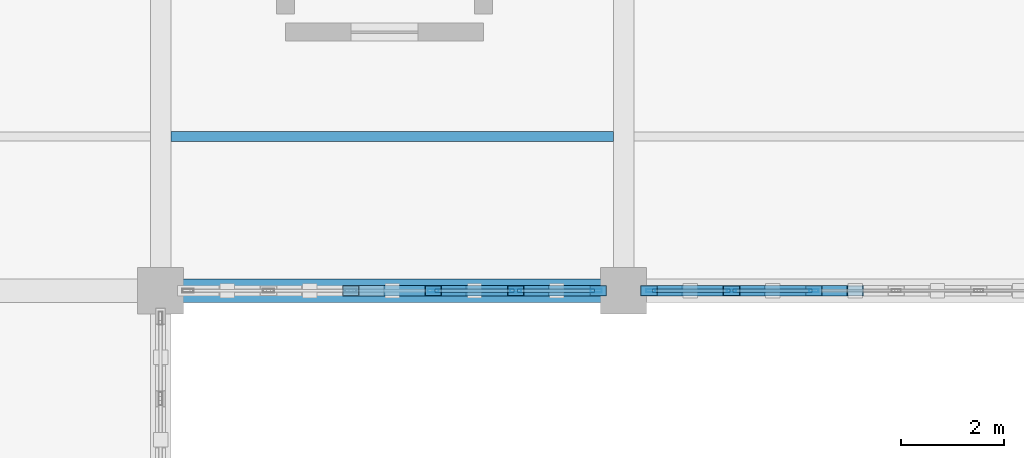
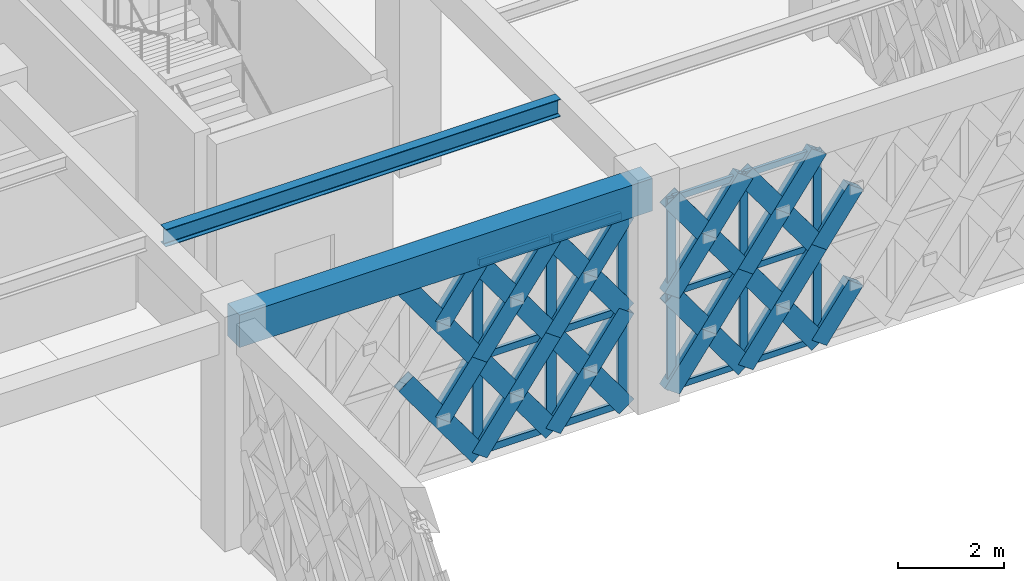
# One storey, part 80 of 155: 48 members, 2 beams, 2 elements without a shape of their own.
"""IFC4 building model written with IfcOpenShell, lengths in metres."""

from ifc_helpers import new_model, si_unit, direction, frame, origin, origin_2d, place, context, subcontext, project, spatial, rectangle, hollow_rectangle, i_section, extrude, material, material_profile, profile_set, type_object, element, aggregate, save


model = new_model("IFC4")

# Units and contexts
model_context = context("Model", 3, precision=1e-05, world=origin(), true_north=direction((0.0, 1.0)))
body_context = subcontext(model_context, "Body", "Model", "MODEL_VIEW")
ifc_project = project(units=[si_unit("LENGTHUNIT", "METRE"), si_unit("AREAUNIT", "SQUARE_METRE"), si_unit("VOLUMEUNIT", "CUBIC_METRE"), si_unit("PLANEANGLEUNIT", "RADIAN"), si_unit("MASSUNIT", "GRAM", prefix="KILO")], contexts=[model_context])

# Site, building, storey
site_placement = place(None, origin())
site = spatial("IfcSite", under=ifc_project, at=site_placement, CompositionType="ELEMENT")
building_placement = place(site_placement, origin())
building = spatial("IfcBuilding", under=site, at=building_placement, Name="Haizhuo Lancet Aquarium", CompositionType="ELEMENT")
storey_placement = place(building_placement, frame((0.0, 0.0, 10.800048828125)))
storey = spatial("IfcBuildingStorey", under=building, at=storey_placement, Name="L02", CompositionType="ELEMENT", Elevation=10.800048828125)

# Beam
ifc_material_1 = material(Name="Concrete C40/50", Category="concrete")
ifc_material_profile_1 = material_profile(ifc_material_1, rectangle(XDim=0.449951171875, YDim=0.75, at=origin_2d()), Name="RC-BM 450x750")
ifc_profile_set_1 = profile_set([ifc_material_profile_1], Name="Concrete C40/50")
beam_type_1 = type_object("IfcBeamType", Name="BM-RC-450x750", PredefinedType="BEAM", material=ifc_profile_set_1)
beam_1_placement = place(storey_placement, frame((9.0, 36.0, 4.784912109375), z_axis=(1.0, 0.0, 0.0), x_axis=(0.0, 1.0, 0.0)))
element("IfcBeam", 1, at=beam_1_placement, inside=storey, type_object=beam_type_1, Name="L02 V5 primary girder BM-L02-V5-025", PredefinedType="BEAM", context=body_context, shape_type="SweptSolid", body=[
    extrude(rectangle(XDim=0.449951171875, YDim=0.75, at=origin_2d()), origin(), (0.0, 0.0, 1.0), 9.0),
])

# Curtain wall, members
ifc_material_2 = material(Name="Aluminium 6063-T6", Category="aluminium")
curtain_wall_type = type_object("IfcCurtainWallType", Name="CWD-8010x4410", PredefinedType="NOTDEFINED", material=ifc_material_2)
curtain_wall_1_placement = place(storey_placement, origin())
curtain_wall_1 = element("IfcCurtainWall", 2, at=curtain_wall_1_placement, inside=storey, type_object=curtain_wall_type, Name="L02 curtain wall CW-V5-L02-154", PredefinedType="NOTDEFINED")
ifc_material_profile_2 = material_profile(ifc_material_2, hollow_rectangle(XDim=0.06494140625, YDim=0.179931640625, WallThickness=0.00390625, at=origin_2d()), Name="ALU-M 65x180x4")
ifc_profile_set_2 = profile_set([ifc_material_profile_2], Name="Aluminium 6063-T6")
member_type_1 = type_object("IfcMemberType", Name="CW-MUL-1", PredefinedType="MULLION", material=ifc_profile_set_2)
member_1_placement = place(storey_placement, frame((21.698974609375, 36.0, 0.0), z_axis=(0.0, 0.0, 1.0), x_axis=(0.0, -1.0, 0.0)))
member_1 = element("IfcMember", 3, at=member_1_placement, type_object=member_type_1, Name="CWD-80x44 mullion 4", PredefinedType="MULLION", context=body_context, shape_type="SweptSolid", body=[
    extrude(hollow_rectangle(XDim=0.06494140625, YDim=0.179931640625, WallThickness=0.00390625, at=origin_2d()), origin(), (0.0, 0.0, 1.0), 4.409912109375),
])
member_2_placement = place(storey_placement, frame((20.096923828125, 36.0, 0.0), z_axis=(0.0, 0.0, 1.0), x_axis=(0.0, -1.0, 0.0)))
member_2 = element("IfcMember", 4, at=member_2_placement, type_object=member_type_1, Name="CWD-80x44 mullion 5", PredefinedType="MULLION", context=body_context, shape_type="SweptSolid", body=[
    extrude(hollow_rectangle(XDim=0.06494140625, YDim=0.179931640625, WallThickness=0.00390625, at=origin_2d()), origin(), (0.0, 0.0, 1.0), 4.409912109375),
])
member_3_placement = place(storey_placement, frame((18.527099609375, 36.0, 0.0), z_axis=(0.0, 0.0, 1.0), x_axis=(0.0, -1.0, 0.0)))
member_3 = element("IfcMember", 5, at=member_3_placement, type_object=member_type_1, Name="CWD-80x44 mullion 6", PredefinedType="MULLION", context=body_context, shape_type="SweptSolid", body=[
    extrude(hollow_rectangle(XDim=0.06494140625, YDim=0.179931640625, WallThickness=0.00390625, at=origin_2d()), origin(), (0.0, 0.0, 1.0), 4.409912109375),
])

curtain_wall_2_placement = place(storey_placement, origin())
curtain_wall_2 = element("IfcCurtainWall", 6, at=curtain_wall_2_placement, inside=storey, type_object=curtain_wall_type, Name="L02 curtain wall CW-V5-L02-155", PredefinedType="NOTDEFINED")
ifc_material_profile_3 = material_profile(ifc_material_2, hollow_rectangle(XDim=0.074951171875, YDim=0.219970703125, WallThickness=0.0048828125, at=origin_2d()), Name="ALU-M 75x220x5")
ifc_profile_set_3 = profile_set([ifc_material_profile_3], Name="Aluminium 6063-T6")
member_type_2 = type_object("IfcMemberType", Name="CW-MUL-2", PredefinedType="MULLION", material=ifc_profile_set_3)
member_4_placement = place(storey_placement, frame((17.467041015625, 36.0, 0.0), z_axis=(0.0, 0.0, 1.0), x_axis=(0.0, -1.0, 0.0)))
member_4 = element("IfcMember", 7, at=member_4_placement, type_object=member_type_2, Name="CWD-80x44 mullion 1", PredefinedType="MULLION", context=body_context, shape_type="SweptSolid", body=[
    extrude(hollow_rectangle(XDim=0.074951171875, YDim=0.219970703125, WallThickness=0.0048828125, at=origin_2d()), origin(), (0.0, 0.0, 1.0), 4.409912109375),
])
member_5_placement = place(storey_placement, frame((15.903076171875, 36.0, 0.0), z_axis=(0.0, 0.0, 1.0), x_axis=(0.0, -1.0, 0.0)))
member_5 = element("IfcMember", 8, at=member_5_placement, type_object=member_type_2, Name="CWD-80x44 mullion 2", PredefinedType="MULLION", context=body_context, shape_type="SweptSolid", body=[
    extrude(hollow_rectangle(XDim=0.074951171875, YDim=0.219970703125, WallThickness=0.0048828125, at=origin_2d()), origin(), (0.0, 0.0, 1.0), 4.409912109375),
])
member_6_placement = place(storey_placement, frame((14.301025390625, 36.0, 0.0), z_axis=(0.0, 0.0, 1.0), x_axis=(0.0, -1.0, 0.0)))
member_6 = element("IfcMember", 9, at=member_6_placement, type_object=member_type_2, Name="CWD-80x44 mullion 3", PredefinedType="MULLION", context=body_context, shape_type="SweptSolid", body=[
    extrude(hollow_rectangle(XDim=0.074951171875, YDim=0.219970703125, WallThickness=0.0048828125, at=origin_2d()), origin(), (0.0, 0.0, 1.0), 4.409912109375),
])

# Member
ifc_material_profile_4 = material_profile(ifc_material_2, hollow_rectangle(XDim=0.06494140625, YDim=0.139892578125, WallThickness=0.00390625, at=origin_2d()), Name="ALU-T 65x140x4")
ifc_profile_set_4 = profile_set([ifc_material_profile_4], Name="Aluminium 6063-T6")
member_type_3 = type_object("IfcMemberType", Name="CW-TRN-1", PredefinedType="NOTDEFINED", material=ifc_profile_set_4)
member_7_placement = place(storey_placement, frame((21.666015625, 36.0, 0.032958984375), z_axis=(-1.0, 0.0, 0.0), x_axis=(0.0, -1.0, 0.0)))
member_7 = element("IfcMember", 10, at=member_7_placement, type_object=member_type_3, Name="CWD-80x44 transom 4.1", ObjectType="TRANSOM", PredefinedType="USERDEFINED", context=body_context, shape_type="SweptSolid", body=[
    extrude(hollow_rectangle(XDim=0.06494140625, YDim=0.139892578125, WallThickness=0.00390625, at=origin_2d()), origin(), (0.0, 0.0, 1.0), 1.5361328125),
])

member_8_placement = place(storey_placement, frame((21.666015625, 36.0, 2.204833984375), z_axis=(-1.0, 0.0, 0.0), x_axis=(0.0, -1.0, 0.0)))
member_8 = element("IfcMember", 11, at=member_8_placement, type_object=member_type_3, Name="CWD-80x44 transom 4.2", ObjectType="TRANSOM", PredefinedType="USERDEFINED", context=body_context, shape_type="SweptSolid", body=[
    extrude(hollow_rectangle(XDim=0.06494140625, YDim=0.139892578125, WallThickness=0.00390625, at=origin_2d()), origin(), (0.0, 0.0, 1.0), 1.5361328125),
])

member_9_placement = place(storey_placement, frame((21.666015625, 36.0, 4.3779296875), z_axis=(-1.0, 0.0, 0.0), x_axis=(0.0, -1.0, 0.0)))
member_9 = element("IfcMember", 12, at=member_9_placement, type_object=member_type_3, Name="CWD-80x44 transom 4.3", ObjectType="TRANSOM", PredefinedType="USERDEFINED", context=body_context, shape_type="SweptSolid", body=[
    extrude(hollow_rectangle(XDim=0.06494140625, YDim=0.139892578125, WallThickness=0.00390625, at=origin_2d()), origin(), (0.0, 0.0, 1.0), 1.5361328125),
])

member_10_placement = place(storey_placement, frame((20.06494140625, 36.0, 0.032958984375), z_axis=(-1.0, 0.0, 0.0), x_axis=(0.0, -1.0, 0.0)))
member_10 = element("IfcMember", 13, at=member_10_placement, type_object=member_type_3, Name="CWD-80x44 transom 5.1", ObjectType="TRANSOM", PredefinedType="USERDEFINED", context=body_context, shape_type="SweptSolid", body=[
    extrude(hollow_rectangle(XDim=0.06494140625, YDim=0.139892578125, WallThickness=0.00390625, at=origin_2d()), origin(), (0.0, 0.0, 1.0), 1.5048828125),
])

member_11_placement = place(storey_placement, frame((20.06494140625, 36.0, 2.204833984375), z_axis=(-1.0, 0.0, 0.0), x_axis=(0.0, -1.0, 0.0)))
member_11 = element("IfcMember", 14, at=member_11_placement, type_object=member_type_3, Name="CWD-80x44 transom 5.2", ObjectType="TRANSOM", PredefinedType="USERDEFINED", context=body_context, shape_type="SweptSolid", body=[
    extrude(hollow_rectangle(XDim=0.06494140625, YDim=0.139892578125, WallThickness=0.00390625, at=origin_2d()), origin(), (0.0, 0.0, 1.0), 1.5048828125),
])

member_12_placement = place(storey_placement, frame((20.06494140625, 36.0, 4.3779296875), z_axis=(-1.0, 0.0, 0.0), x_axis=(0.0, -1.0, 0.0)))
member_12 = element("IfcMember", 15, at=member_12_placement, type_object=member_type_3, Name="CWD-80x44 transom 5.3", ObjectType="TRANSOM", PredefinedType="USERDEFINED", context=body_context, shape_type="SweptSolid", body=[
    extrude(hollow_rectangle(XDim=0.06494140625, YDim=0.139892578125, WallThickness=0.00390625, at=origin_2d()), origin(), (0.0, 0.0, 1.0), 1.5048828125),
])

aggregate(curtain_wall_1, [member_1, member_2, member_3, member_7, member_8, member_9, member_10, member_11, member_12])

ifc_material_profile_5 = material_profile(ifc_material_2, hollow_rectangle(XDim=0.074951171875, YDim=0.159912109375, WallThickness=0.00390625, at=origin_2d()), Name="ALU-T 75x160x4")
ifc_profile_set_5 = profile_set([ifc_material_profile_5], Name="Aluminium 6063-T6")
member_type_4 = type_object("IfcMemberType", Name="CW-TRN-2", PredefinedType="NOTDEFINED", material=ifc_profile_set_5)
member_13_placement = place(storey_placement, frame((17.429931640625, 36.0, 0.037841796875), z_axis=(-1.0, 0.0, 0.0), x_axis=(0.0, -1.0, 0.0)))
member_13 = element("IfcMember", 16, at=member_13_placement, type_object=member_type_4, Name="CWD-80x44 transom 1.1", ObjectType="TRANSOM", PredefinedType="USERDEFINED", context=body_context, shape_type="SweptSolid", body=[
    extrude(hollow_rectangle(XDim=0.074951171875, YDim=0.159912109375, WallThickness=0.00390625, at=origin_2d()), origin(), (0.0, 0.0, 1.0), 1.489013671875),
])

member_14_placement = place(storey_placement, frame((17.429931640625, 36.0, 2.204833984375), z_axis=(-1.0, 0.0, 0.0), x_axis=(0.0, -1.0, 0.0)))
member_14 = element("IfcMember", 17, at=member_14_placement, type_object=member_type_4, Name="CWD-80x44 transom 1.2", ObjectType="TRANSOM", PredefinedType="USERDEFINED", context=body_context, shape_type="SweptSolid", body=[
    extrude(hollow_rectangle(XDim=0.074951171875, YDim=0.159912109375, WallThickness=0.00390625, at=origin_2d()), origin(), (0.0, 0.0, 1.0), 1.489013671875),
])

member_15_placement = place(storey_placement, frame((17.429931640625, 36.0, 4.373046875), z_axis=(-1.0, 0.0, 0.0), x_axis=(0.0, -1.0, 0.0)))
member_15 = element("IfcMember", 18, at=member_15_placement, type_object=member_type_4, Name="CWD-80x44 transom 1.3", ObjectType="TRANSOM", PredefinedType="USERDEFINED", context=body_context, shape_type="SweptSolid", body=[
    extrude(hollow_rectangle(XDim=0.074951171875, YDim=0.159912109375, WallThickness=0.00390625, at=origin_2d()), origin(), (0.0, 0.0, 1.0), 1.489013671875),
])

member_16_placement = place(storey_placement, frame((15.864990234375, 36.0, 0.037841796875), z_axis=(-1.0, 0.0, 0.0), x_axis=(0.0, -1.0, 0.0)))
member_16 = element("IfcMember", 19, at=member_16_placement, type_object=member_type_4, Name="CWD-80x44 transom 2.1", ObjectType="TRANSOM", PredefinedType="USERDEFINED", context=body_context, shape_type="SweptSolid", body=[
    extrude(hollow_rectangle(XDim=0.074951171875, YDim=0.159912109375, WallThickness=0.00390625, at=origin_2d()), origin(), (0.0, 0.0, 1.0), 1.527099609375),
])

member_17_placement = place(storey_placement, frame((15.864990234375, 36.0, 2.204833984375), z_axis=(-1.0, 0.0, 0.0), x_axis=(0.0, -1.0, 0.0)))
member_17 = element("IfcMember", 20, at=member_17_placement, type_object=member_type_4, Name="CWD-80x44 transom 2.2", ObjectType="TRANSOM", PredefinedType="USERDEFINED", context=body_context, shape_type="SweptSolid", body=[
    extrude(hollow_rectangle(XDim=0.074951171875, YDim=0.159912109375, WallThickness=0.00390625, at=origin_2d()), origin(), (0.0, 0.0, 1.0), 1.527099609375),
])

member_18_placement = place(storey_placement, frame((15.864990234375, 36.0, 4.373046875), z_axis=(-1.0, 0.0, 0.0), x_axis=(0.0, -1.0, 0.0)))
member_18 = element("IfcMember", 21, at=member_18_placement, type_object=member_type_4, Name="CWD-80x44 transom 2.3", ObjectType="TRANSOM", PredefinedType="USERDEFINED", context=body_context, shape_type="SweptSolid", body=[
    extrude(hollow_rectangle(XDim=0.074951171875, YDim=0.159912109375, WallThickness=0.00390625, at=origin_2d()), origin(), (0.0, 0.0, 1.0), 1.527099609375),
])

aggregate(curtain_wall_2, [member_4, member_5, member_6, member_13, member_14, member_15, member_16, member_17, member_18])

# Beam
ifc_material_3 = material(Name="Steel S355", Category="steel")
ifc_material_profile_6 = material_profile(ifc_material_3, i_section(OverallWidth=0.199951171875, OverallDepth=0.39990234375, WebThickness=0.008056640625, FlangeThickness=0.012939453125, FilletRadius=0.01611328125, at=origin_2d()), Name="HN 400x200x8x13")
ifc_profile_set_6 = profile_set([ifc_material_profile_6], Name="Steel S355")
beam_type_2 = type_object("IfcBeamType", Name="JST-ST-HN400", PredefinedType="JOIST", material=ifc_profile_set_6)
beam_2_placement = place(storey_placement, frame((9.199951171875, 39.0, 4.9599609375), z_axis=(1.0, 0.0, 0.0), x_axis=(0.0, 1.0, 0.0)))
element("IfcBeam", 22, at=beam_2_placement, inside=storey, type_object=beam_type_2, Name="L02 V5 secondary floor joist 14", PredefinedType="JOIST", context=body_context, shape_type="SweptSolid", body=[
    extrude(i_section(OverallWidth=0.199951171875, OverallDepth=0.39990234375, WebThickness=0.008056640625, FlangeThickness=0.012939453125, FilletRadius=0.01611328125, at=origin_2d()), origin(), (0.0, 0.0, 1.0), 8.60009765625),
])

# Members
ifc_material_profile_7 = material_profile(ifc_material_3, hollow_rectangle(XDim=0.199951171875, YDim=0.39990234375, WallThickness=0.011962890625, at=origin_2d()), Name="RHS 200x400x12")
ifc_profile_set_7 = profile_set([ifc_material_profile_7], Name="Steel S355")
member_type_5 = type_object("IfcMemberType", Name="MEM-LB-RHS200x400", PredefinedType="BRACE", material=ifc_profile_set_7)
member_19_placement = place(storey_placement, frame((21.698974609375, 36.0, 0.0), z_axis=(0.587947920096, 0.0, 0.808898784308), x_axis=(0.0, 1.0, 0.0)))
element("IfcMember", 23, at=member_19_placement, inside=storey, type_object=member_type_5, Name="Gothic lancet split diagonal brace CW-V5-L02-154 5B1", PredefinedType="BRACE", context=body_context, shape_type="SweptSolid", body=[
    extrude(hollow_rectangle(XDim=0.199951171875, YDim=0.39990234375, WallThickness=0.011962890625, at=origin_2d()), origin(), (0.0, 0.0, 1.0), 1.3623046875),
])
member_20_placement = place(storey_placement, frame((21.698974609375, 36.0, 2.204833984375), z_axis=(0.58760716657, 0.0, 0.809146351284), x_axis=(0.0, 1.0, 0.0)))
element("IfcMember", 24, at=member_20_placement, inside=storey, type_object=member_type_5, Name="Gothic lancet split diagonal brace CW-V5-L02-154 6B1", PredefinedType="BRACE", context=body_context, shape_type="SweptSolid", body=[
    extrude(hollow_rectangle(XDim=0.199951171875, YDim=0.39990234375, WallThickness=0.011962890625, at=origin_2d()), origin(), (0.0, 0.0, 1.0), 1.36328125),
])
member_21_placement = place(storey_placement, frame((21.698974609375, 36.0, 0.0), z_axis=(-0.587820103443, 0.0, 0.808991672385), x_axis=(0.0, -1.0, 0.0)))
element("IfcMember", 25, at=member_21_placement, inside=storey, type_object=member_type_5, Name="Gothic lancet continuous diagonal brace CW-V5-L02-154 7A", PredefinedType="BRACE", context=body_context, shape_type="SweptSolid", body=[
    extrude(hollow_rectangle(XDim=0.199951171875, YDim=0.39990234375, WallThickness=0.011962890625, at=origin_2d()), origin(), (0.0, 0.0, 1.0), 2.725341796875),
])
member_22_placement = place(storey_placement, frame((20.096923828125, 36.0, 0.0), z_axis=(0.587947920096, 0.0, 0.808898784308), x_axis=(0.0, 1.0, 0.0)))
element("IfcMember", 26, at=member_22_placement, inside=storey, type_object=member_type_5, Name="Gothic lancet split diagonal brace CW-V5-L02-154 7B1", PredefinedType="BRACE", context=body_context, shape_type="SweptSolid", body=[
    extrude(hollow_rectangle(XDim=0.199951171875, YDim=0.39990234375, WallThickness=0.011962890625, at=origin_2d()), origin(), (0.0, 0.0, 1.0), 1.3623046875),
])
member_23_placement = place(storey_placement, frame((20.89794921875, 36.0, 1.10205078125), z_axis=(0.587692327688, 0.0, 0.809084499899), x_axis=(0.0, 1.0, 0.0)))
element("IfcMember", 27, at=member_23_placement, inside=storey, type_object=member_type_5, Name="Gothic lancet split diagonal brace CW-V5-L02-154 7B2", PredefinedType="BRACE", context=body_context, shape_type="SweptSolid", body=[
    extrude(hollow_rectangle(XDim=0.199951171875, YDim=0.39990234375, WallThickness=0.011962890625, at=origin_2d()), origin(), (0.0, 0.0, 1.0), 1.363037109375),
])
member_24_placement = place(storey_placement, frame((21.698974609375, 36.0, 2.204833984375), z_axis=(-0.587777506981, 0.0, 0.809022621617), x_axis=(0.0, -1.0, 0.0)))
element("IfcMember", 28, at=member_24_placement, inside=storey, type_object=member_type_5, Name="Gothic lancet continuous diagonal brace CW-V5-L02-154 8A", PredefinedType="BRACE", context=body_context, shape_type="SweptSolid", body=[
    extrude(hollow_rectangle(XDim=0.199951171875, YDim=0.39990234375, WallThickness=0.011962890625, at=origin_2d()), origin(), (0.0, 0.0, 1.0), 2.7255859375),
])
member_25_placement = place(storey_placement, frame((20.096923828125, 36.0, 2.204833984375), z_axis=(0.58760716657, 0.0, 0.809146351284), x_axis=(0.0, 1.0, 0.0)))
element("IfcMember", 29, at=member_25_placement, inside=storey, type_object=member_type_5, Name="Gothic lancet split diagonal brace CW-V5-L02-154 8B1", PredefinedType="BRACE", context=body_context, shape_type="SweptSolid", body=[
    extrude(hollow_rectangle(XDim=0.199951171875, YDim=0.39990234375, WallThickness=0.011962890625, at=origin_2d()), origin(), (0.0, 0.0, 1.0), 1.36328125),
])
member_26_placement = place(storey_placement, frame((20.89794921875, 36.0, 3.307861328125), z_axis=(0.587947920096, 0.0, 0.808898784308), x_axis=(0.0, 1.0, 0.0)))
element("IfcMember", 30, at=member_26_placement, inside=storey, type_object=member_type_5, Name="Gothic lancet split diagonal brace CW-V5-L02-154 8B2", PredefinedType="BRACE", context=body_context, shape_type="SweptSolid", body=[
    extrude(hollow_rectangle(XDim=0.199951171875, YDim=0.39990234375, WallThickness=0.011962890625, at=origin_2d()), origin(), (0.0, 0.0, 1.0), 1.3623046875),
])
member_27_placement = place(storey_placement, frame((20.096923828125, 36.0, 0.0), z_axis=(-0.587761471996, 0.0, 0.809034271238), x_axis=(0.0, -1.0, 0.0)))
element("IfcMember", 31, at=member_27_placement, inside=storey, type_object=member_type_5, Name="Gothic lancet continuous diagonal brace CW-V5-L02-154 9A", PredefinedType="BRACE", context=body_context, shape_type="SweptSolid", body=[
    extrude(hollow_rectangle(XDim=0.199951171875, YDim=0.39990234375, WallThickness=0.011962890625, at=origin_2d()), origin(), (0.0, 0.0, 1.0), 2.725341796875),
])
member_28_placement = place(storey_placement, frame((18.4951171875, 36.0, 0.0), z_axis=(0.587830649366, 0.0, 0.808984009524), x_axis=(0.0, 1.0, 0.0)))
element("IfcMember", 32, at=member_28_placement, inside=storey, type_object=member_type_5, Name="Gothic lancet split diagonal brace CW-V5-L02-154 9B1", PredefinedType="BRACE", context=body_context, shape_type="SweptSolid", body=[
    extrude(hollow_rectangle(XDim=0.199951171875, YDim=0.39990234375, WallThickness=0.011962890625, at=origin_2d()), origin(), (0.0, 0.0, 1.0), 1.3623046875),
])
member_29_placement = place(storey_placement, frame((19.2958984375, 36.0, 1.10205078125), z_axis=(0.587692327688, 0.0, 0.809084499899), x_axis=(0.0, 1.0, 0.0)))
element("IfcMember", 33, at=member_29_placement, inside=storey, type_object=member_type_5, Name="Gothic lancet split diagonal brace CW-V5-L02-154 9B2", PredefinedType="BRACE", context=body_context, shape_type="SweptSolid", body=[
    extrude(hollow_rectangle(XDim=0.199951171875, YDim=0.39990234375, WallThickness=0.011962890625, at=origin_2d()), origin(), (0.0, 0.0, 1.0), 1.363037109375),
])
member_30_placement = place(storey_placement, frame((20.096923828125, 36.0, 2.204833984375), z_axis=(-0.587718875297, 0.0, 0.809065215925), x_axis=(0.0, -1.0, 0.0)))
element("IfcMember", 34, at=member_30_placement, inside=storey, type_object=member_type_5, Name="Gothic lancet continuous diagonal brace CW-V5-L02-154 10A", PredefinedType="BRACE", context=body_context, shape_type="SweptSolid", body=[
    extrude(hollow_rectangle(XDim=0.199951171875, YDim=0.39990234375, WallThickness=0.011962890625, at=origin_2d()), origin(), (0.0, 0.0, 1.0), 2.7255859375),
])
member_31_placement = place(storey_placement, frame((18.4951171875, 36.0, 2.204833984375), z_axis=(0.587489892075, 0.0, 0.809231503779), x_axis=(0.0, 1.0, 0.0)))
element("IfcMember", 35, at=member_31_placement, inside=storey, type_object=member_type_5, Name="Gothic lancet split diagonal brace CW-V5-L02-154 10B1", PredefinedType="BRACE", context=body_context, shape_type="SweptSolid", body=[
    extrude(hollow_rectangle(XDim=0.199951171875, YDim=0.39990234375, WallThickness=0.011962890625, at=origin_2d()), origin(), (0.0, 0.0, 1.0), 1.363037109375),
])
member_32_placement = place(storey_placement, frame((19.2958984375, 36.0, 3.307861328125), z_axis=(0.587947920096, 0.0, 0.808898784308), x_axis=(0.0, 1.0, 0.0)))
element("IfcMember", 36, at=member_32_placement, inside=storey, type_object=member_type_5, Name="Gothic lancet split diagonal brace CW-V5-L02-154 10B2", PredefinedType="BRACE", context=body_context, shape_type="SweptSolid", body=[
    extrude(hollow_rectangle(XDim=0.199951171875, YDim=0.39990234375, WallThickness=0.011962890625, at=origin_2d()), origin(), (0.0, 0.0, 1.0), 1.3623046875),
])
member_33_placement = place(storey_placement, frame((17.5048828125, 36.0, 0.0), z_axis=(-0.587761471996, 0.0, 0.809034271238), x_axis=(0.0, -1.0, 0.0)))
element("IfcMember", 37, at=member_33_placement, inside=storey, type_object=member_type_5, Name="Gothic lancet continuous diagonal brace CW-V5-L02-155 1A", PredefinedType="BRACE", context=body_context, shape_type="SweptSolid", body=[
    extrude(hollow_rectangle(XDim=0.199951171875, YDim=0.39990234375, WallThickness=0.011962890625, at=origin_2d()), origin(), (0.0, 0.0, 1.0), 2.725341796875),
])
member_34_placement = place(storey_placement, frame((15.903076171875, 36.0, 0.0), z_axis=(0.587947920096, 0.0, 0.808898784308), x_axis=(0.0, 1.0, 0.0)))
element("IfcMember", 38, at=member_34_placement, inside=storey, type_object=member_type_5, Name="Gothic lancet split diagonal brace CW-V5-L02-155 1B1", PredefinedType="BRACE", context=body_context, shape_type="SweptSolid", body=[
    extrude(hollow_rectangle(XDim=0.199951171875, YDim=0.39990234375, WallThickness=0.011962890625, at=origin_2d()), origin(), (0.0, 0.0, 1.0), 1.3623046875),
])
member_35_placement = place(storey_placement, frame((16.7041015625, 36.0, 1.10205078125), z_axis=(0.587575054123, 0.0, 0.809169670571), x_axis=(0.0, 1.0, 0.0)))
element("IfcMember", 39, at=member_35_placement, inside=storey, type_object=member_type_5, Name="Gothic lancet split diagonal brace CW-V5-L02-155 1B2", PredefinedType="BRACE", context=body_context, shape_type="SweptSolid", body=[
    extrude(hollow_rectangle(XDim=0.199951171875, YDim=0.39990234375, WallThickness=0.011962890625, at=origin_2d()), origin(), (0.0, 0.0, 1.0), 1.36279296875),
])
member_36_placement = place(storey_placement, frame((17.5048828125, 36.0, 2.204833984375), z_axis=(-0.587718875297, 0.0, 0.809065215925), x_axis=(0.0, -1.0, 0.0)))
element("IfcMember", 40, at=member_36_placement, inside=storey, type_object=member_type_5, Name="Gothic lancet continuous diagonal brace CW-V5-L02-155 2A", PredefinedType="BRACE", context=body_context, shape_type="SweptSolid", body=[
    extrude(hollow_rectangle(XDim=0.199951171875, YDim=0.39990234375, WallThickness=0.011962890625, at=origin_2d()), origin(), (0.0, 0.0, 1.0), 2.7255859375),
])
member_37_placement = place(storey_placement, frame((15.903076171875, 36.0, 2.204833984375), z_axis=(0.58760716657, 0.0, 0.809146351284), x_axis=(0.0, 1.0, 0.0)))
element("IfcMember", 41, at=member_37_placement, inside=storey, type_object=member_type_5, Name="Gothic lancet split diagonal brace CW-V5-L02-155 2B1", PredefinedType="BRACE", context=body_context, shape_type="SweptSolid", body=[
    extrude(hollow_rectangle(XDim=0.199951171875, YDim=0.39990234375, WallThickness=0.011962890625, at=origin_2d()), origin(), (0.0, 0.0, 1.0), 1.36328125),
])
member_38_placement = place(storey_placement, frame((16.7041015625, 36.0, 3.307861328125), z_axis=(0.587830649366, 0.0, 0.808984009524), x_axis=(0.0, 1.0, 0.0)))
element("IfcMember", 42, at=member_38_placement, inside=storey, type_object=member_type_5, Name="Gothic lancet split diagonal brace CW-V5-L02-155 2B2", PredefinedType="BRACE", context=body_context, shape_type="SweptSolid", body=[
    extrude(hollow_rectangle(XDim=0.199951171875, YDim=0.39990234375, WallThickness=0.011962890625, at=origin_2d()), origin(), (0.0, 0.0, 1.0), 1.3623046875),
])
member_39_placement = place(storey_placement, frame((15.903076171875, 36.0, 0.0), z_axis=(-0.587820103443, 0.0, 0.808991672385), x_axis=(0.0, -1.0, 0.0)))
element("IfcMember", 43, at=member_39_placement, inside=storey, type_object=member_type_5, Name="Gothic lancet continuous diagonal brace CW-V5-L02-155 3A", PredefinedType="BRACE", context=body_context, shape_type="SweptSolid", body=[
    extrude(hollow_rectangle(XDim=0.199951171875, YDim=0.39990234375, WallThickness=0.011962890625, at=origin_2d()), origin(), (0.0, 0.0, 1.0), 2.725341796875),
])
member_40_placement = place(storey_placement, frame((14.301025390625, 36.0, 0.0), z_axis=(0.587947920096, 0.0, 0.808898784308), x_axis=(0.0, 1.0, 0.0)))
element("IfcMember", 44, at=member_40_placement, inside=storey, type_object=member_type_5, Name="Gothic lancet split diagonal brace CW-V5-L02-155 3B1", PredefinedType="BRACE", context=body_context, shape_type="SweptSolid", body=[
    extrude(hollow_rectangle(XDim=0.199951171875, YDim=0.39990234375, WallThickness=0.011962890625, at=origin_2d()), origin(), (0.0, 0.0, 1.0), 1.3623046875),
])
member_41_placement = place(storey_placement, frame((15.10205078125, 36.0, 1.10205078125), z_axis=(0.587692327688, 0.0, 0.809084499899), x_axis=(0.0, 1.0, 0.0)))
element("IfcMember", 45, at=member_41_placement, inside=storey, type_object=member_type_5, Name="Gothic lancet split diagonal brace CW-V5-L02-155 3B2", PredefinedType="BRACE", context=body_context, shape_type="SweptSolid", body=[
    extrude(hollow_rectangle(XDim=0.199951171875, YDim=0.39990234375, WallThickness=0.011962890625, at=origin_2d()), origin(), (0.0, 0.0, 1.0), 1.363037109375),
])
member_42_placement = place(storey_placement, frame((15.903076171875, 36.0, 2.204833984375), z_axis=(-0.587777506981, 0.0, 0.809022621617), x_axis=(0.0, -1.0, 0.0)))
element("IfcMember", 46, at=member_42_placement, inside=storey, type_object=member_type_5, Name="Gothic lancet continuous diagonal brace CW-V5-L02-155 4A", PredefinedType="BRACE", context=body_context, shape_type="SweptSolid", body=[
    extrude(hollow_rectangle(XDim=0.199951171875, YDim=0.39990234375, WallThickness=0.011962890625, at=origin_2d()), origin(), (0.0, 0.0, 1.0), 2.7255859375),
])
member_43_placement = place(storey_placement, frame((14.301025390625, 36.0, 2.204833984375), z_axis=(0.58760716657, 0.0, 0.809146351284), x_axis=(0.0, 1.0, 0.0)))
element("IfcMember", 47, at=member_43_placement, inside=storey, type_object=member_type_5, Name="Gothic lancet split diagonal brace CW-V5-L02-155 4B1", PredefinedType="BRACE", context=body_context, shape_type="SweptSolid", body=[
    extrude(hollow_rectangle(XDim=0.199951171875, YDim=0.39990234375, WallThickness=0.011962890625, at=origin_2d()), origin(), (0.0, 0.0, 1.0), 1.36328125),
])
member_44_placement = place(storey_placement, frame((15.10205078125, 36.0, 3.307861328125), z_axis=(0.587947920096, 0.0, 0.808898784308), x_axis=(0.0, 1.0, 0.0)))
element("IfcMember", 48, at=member_44_placement, inside=storey, type_object=member_type_5, Name="Gothic lancet split diagonal brace CW-V5-L02-155 4B2", PredefinedType="BRACE", context=body_context, shape_type="SweptSolid", body=[
    extrude(hollow_rectangle(XDim=0.199951171875, YDim=0.39990234375, WallThickness=0.011962890625, at=origin_2d()), origin(), (0.0, 0.0, 1.0), 1.3623046875),
])
member_45_placement = place(storey_placement, frame((14.301025390625, 36.0, 0.0), z_axis=(-0.587820103443, 0.0, 0.808991672385), x_axis=(0.0, -1.0, 0.0)))
element("IfcMember", 49, at=member_45_placement, inside=storey, type_object=member_type_5, Name="Gothic lancet continuous diagonal brace CW-V5-L02-155 5A", PredefinedType="BRACE", context=body_context, shape_type="SweptSolid", body=[
    extrude(hollow_rectangle(XDim=0.199951171875, YDim=0.39990234375, WallThickness=0.011962890625, at=origin_2d()), origin(), (0.0, 0.0, 1.0), 2.725341796875),
])
member_46_placement = place(storey_placement, frame((13.5, 36.0, 1.10205078125), z_axis=(0.587692327688, 0.0, 0.809084499899), x_axis=(0.0, 1.0, 0.0)))
element("IfcMember", 50, at=member_46_placement, inside=storey, type_object=member_type_5, Name="Gothic lancet split diagonal brace CW-V5-L02-155 5B2", PredefinedType="BRACE", context=body_context, shape_type="SweptSolid", body=[
    extrude(hollow_rectangle(XDim=0.199951171875, YDim=0.39990234375, WallThickness=0.011962890625, at=origin_2d()), origin(), (0.0, 0.0, 1.0), 1.363037109375),
])
member_47_placement = place(storey_placement, frame((14.301025390625, 36.0, 2.204833984375), z_axis=(-0.587777506981, 0.0, 0.809022621617), x_axis=(0.0, -1.0, 0.0)))
element("IfcMember", 51, at=member_47_placement, inside=storey, type_object=member_type_5, Name="Gothic lancet continuous diagonal brace CW-V5-L02-155 6A", PredefinedType="BRACE", context=body_context, shape_type="SweptSolid", body=[
    extrude(hollow_rectangle(XDim=0.199951171875, YDim=0.39990234375, WallThickness=0.011962890625, at=origin_2d()), origin(), (0.0, 0.0, 1.0), 2.7255859375),
])
member_48_placement = place(storey_placement, frame((13.5, 36.0, 3.307861328125), z_axis=(0.587947920096, 0.0, 0.808898784308), x_axis=(0.0, 1.0, 0.0)))
element("IfcMember", 52, at=member_48_placement, inside=storey, type_object=member_type_5, Name="Gothic lancet split diagonal brace CW-V5-L02-155 6B2", PredefinedType="BRACE", context=body_context, shape_type="SweptSolid", body=[
    extrude(hollow_rectangle(XDim=0.199951171875, YDim=0.39990234375, WallThickness=0.011962890625, at=origin_2d()), origin(), (0.0, 0.0, 1.0), 1.3623046875),
])

save(model, "model.ifc")
